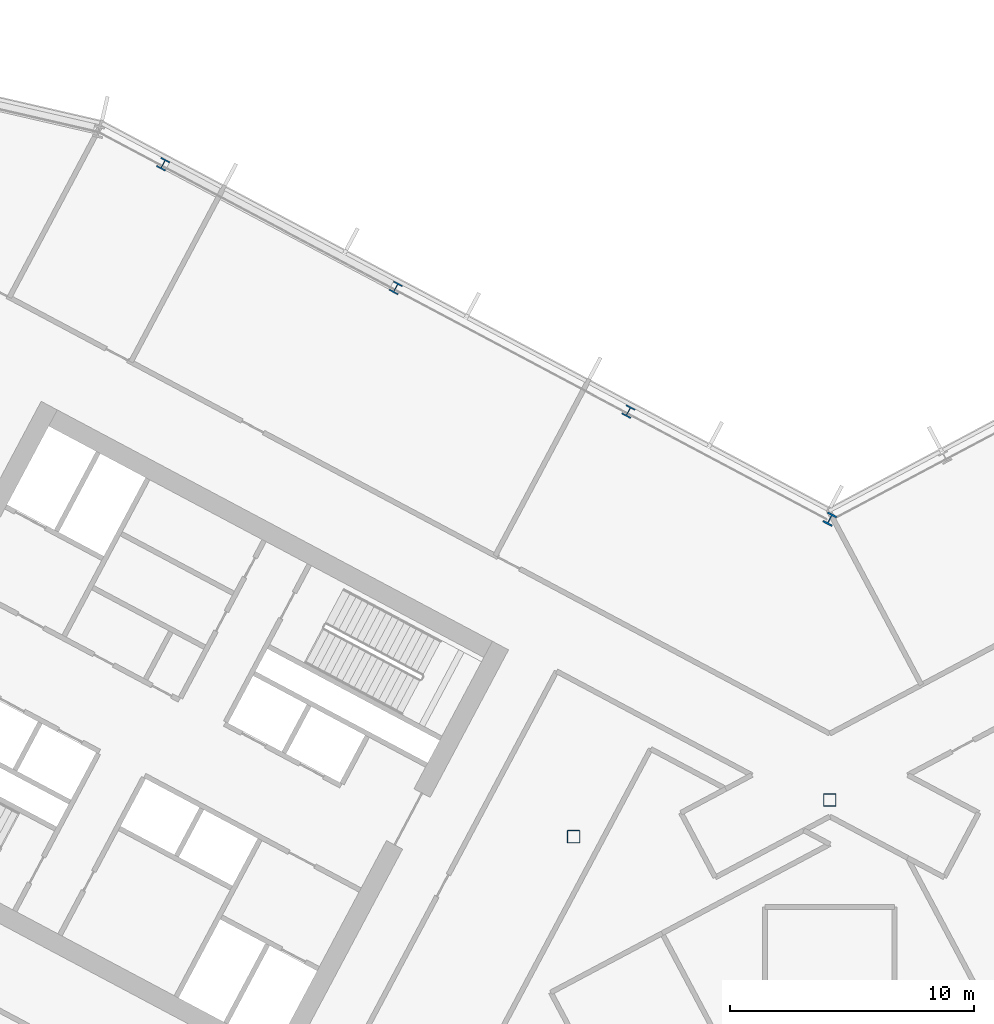
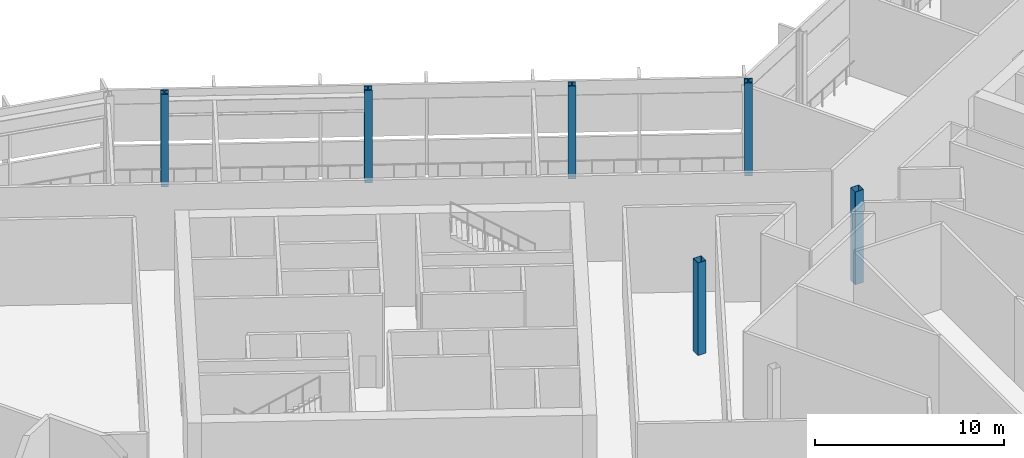
# One storey, part 4 of 33: 6 columns.
"""IFC4 building model written with IfcOpenShell, lengths in metres."""

from ifc_helpers import new_model, si_unit, direction, frame, origin, origin_2d, place, context, subcontext, project, spatial, hollow_rectangle, i_section, extrude, material, material_profile, profile_set, type_object, element, save


model = new_model("IFC4")

# Units and contexts
model_context = context("Model", 3, precision=1e-05, world=origin(), true_north=direction((0.0, 1.0)))
body_context = subcontext(model_context, "Body", "Model", "MODEL_VIEW")
ifc_project = project(units=[si_unit("LENGTHUNIT", "METRE"), si_unit("AREAUNIT", "SQUARE_METRE"), si_unit("VOLUMEUNIT", "CUBIC_METRE"), si_unit("PLANEANGLEUNIT", "RADIAN"), si_unit("MASSUNIT", "GRAM", prefix="KILO")], contexts=[model_context])

# Site, building, storey
site_placement = place(None, origin())
site = spatial("IfcSite", under=ifc_project, at=site_placement, CompositionType="ELEMENT")
building_placement = place(site_placement, origin())
building = spatial("IfcBuilding", under=site, at=building_placement, Name="Cormorant Relay Tower", CompositionType="ELEMENT")
storey_placement = place(building_placement, frame((0.0, 0.0, 183.60009765625)))
storey = spatial("IfcBuildingStorey", under=building, at=storey_placement, Name="L39", CompositionType="ELEMENT", Elevation=183.60009765625)

# Columns
ifc_material_1 = material(Name="Steel ASTM A500 Grade C (Fy 345 MPa)", Category="steel")
ifc_material_profile_1 = material_profile(ifc_material_1, hollow_rectangle(XDim=0.508056640625, YDim=0.508056640625, WallThickness=0.01171875, InnerFilletRadius=0.005859375, OuterFilletRadius=0.017822265625, at=origin_2d()), Name="HSS508x508x12")
ifc_profile_set_1 = profile_set([ifc_material_profile_1], Name="Steel ASTM A500 Grade C (Fy 345 MPa)")
column_type_1 = type_object("IfcColumnType", Name="Column HSS508x508x12", PredefinedType="COLUMN", material=ifc_profile_set_1)
for number, where, z_axis, x_axis, name in (
    (1, (-10.5, 10.5, 0.0), (0.0, 0.0, 1.0), (1.0, 0.0, 0.0), "Column L39-023"),
    (2, (0.0, 12.0, 0.0), (0.0, 0.0, 1.0), (1.0, 0.0, 0.0), "Column L39-025"),
):
    element("IfcColumn", number, at=place(storey_placement, frame(where, z_axis=z_axis, x_axis=x_axis)), inside=storey, type_object=column_type_1, Name=name, PredefinedType="COLUMN", context=body_context, shape_type="SweptSolid", body=[
        extrude(hollow_rectangle(XDim=0.508056640625, YDim=0.508056640625, WallThickness=0.01171875, InnerFilletRadius=0.005859375, OuterFilletRadius=0.017822265625, at=origin_2d()), origin(), (0.0, 0.0, 1.0), 6.0),
    ])
ifc_material_2 = material(Name="Steel ASTM A992 (Fy 345 MPa)", Category="steel")
ifc_material_profile_2 = material_profile(ifc_material_2, i_section(OverallWidth=0.41162109375, OverallDepth=0.434326171875, WebThickness=0.035888671875, FlangeThickness=0.057373046875, FilletRadius=0.01513671875, at=origin_2d()), Name="W360x463")
ifc_profile_set_2 = profile_set([ifc_material_profile_2], Name="Steel ASTM A992 (Fy 345 MPa)")
column_type_2 = type_object("IfcColumnType", Name="Column W360x463", PredefinedType="COLUMN", material=ifc_profile_set_2)
for number, where, z_axis, x_axis, name in (
    (3, (-8.257080078125, 27.925048828125, 0.0), (0.0, 0.0, 1.0), (-0.882947592859, 0.469471562786, 0.0), "Column L39-036"),
    (4, (-17.7919921875, 32.9951171875, 0.0), (0.0, 0.0, 1.0), (-0.882947592859, 0.469471562786, 0.0), "Column L39-040"),
    (5, (-27.327880859375, 38.06494140625, 0.0), (0.0, 0.0, 1.0), (-0.882947592859, 0.469471562786, 0.0), "Column L39-044"),
):
    element("IfcColumn", number, at=place(storey_placement, frame(where, z_axis=z_axis, x_axis=x_axis)), inside=storey, type_object=column_type_2, Name=name, PredefinedType="COLUMN", context=body_context, shape_type="SweptSolid", body=[
        extrude(i_section(OverallWidth=0.41162109375, OverallDepth=0.434326171875, WebThickness=0.035888671875, FlangeThickness=0.057373046875, FilletRadius=0.01513671875, at=origin_2d()), origin(), (0.0, 0.0, 1.0), 6.0),
    ])
ifc_material_3 = material(Name="Steel ASTM A992 (Fy 345 MPa)", Category="steel")
ifc_material_profile_3 = material_profile(ifc_material_3, i_section(OverallWidth=0.42431640625, OverallDepth=0.47509765625, WebThickness=0.0478515625, FlangeThickness=0.0771484375, FilletRadius=0.014892578125, at=origin_2d()), Name="W360x634")
ifc_profile_set_3 = profile_set([ifc_material_profile_3], Name="Steel ASTM A992 (Fy 345 MPa)")
column_type_3 = type_object("IfcColumnType", Name="Column W360x634", PredefinedType="COLUMN", material=ifc_profile_set_3)
column_placement = place(storey_placement, frame((0.0, 23.513916015625, 0.0), z_axis=(0.0, 0.0, 1.0), x_axis=(-0.882947592859, 0.469471562786, 0.0)))
element("IfcColumn", 6, at=column_placement, inside=storey, type_object=column_type_3, Name="Column L39-032", PredefinedType="COLUMN", context=body_context, shape_type="SweptSolid", body=[
    extrude(i_section(OverallWidth=0.42431640625, OverallDepth=0.47509765625, WebThickness=0.0478515625, FlangeThickness=0.0771484375, FilletRadius=0.014892578125, at=origin_2d()), origin(), (0.0, 0.0, 1.0), 6.0),
])

save(model, "model.ifc")
